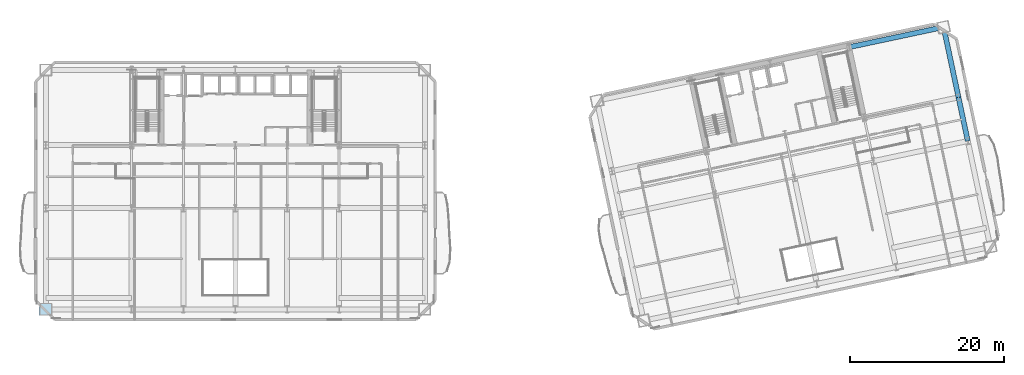
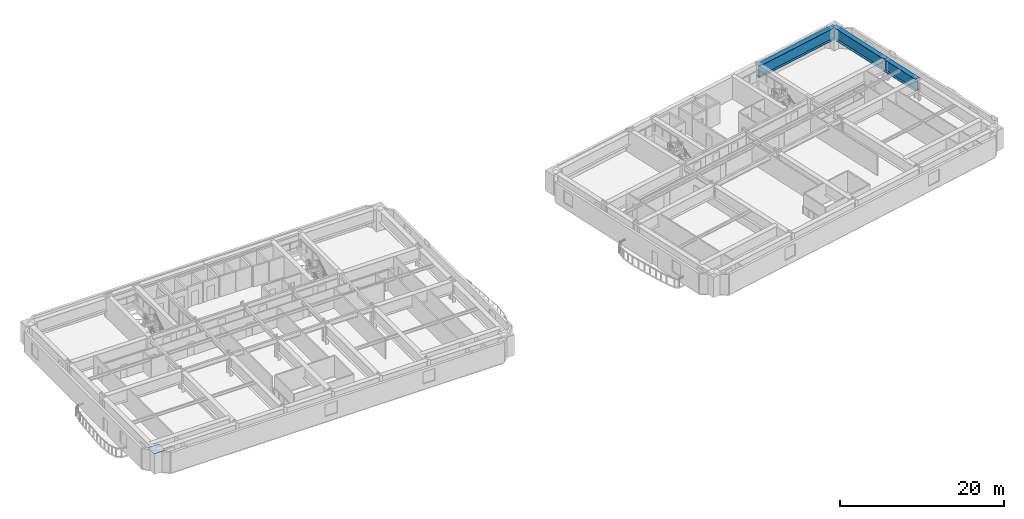
# One storey, part 4 of 18: 3 beams, 1 plate.
"""IFC4 building model written with IfcOpenShell, lengths in metres."""

from ifc_helpers import new_model, si_unit, direction, frame, origin, origin_2d, place, context, subcontext, project, spatial, rectangle, i_section, extrude, material, layer, layer_set, material_profile, profile_set, type_object, element, save


model = new_model("IFC4")

# Units and contexts
model_context = context("Model", 3, precision=1e-05, world=origin(), true_north=direction((0.0, 1.0)))
body_context = subcontext(model_context, "Body", "Model", "MODEL_VIEW")
ifc_project = project(units=[si_unit("LENGTHUNIT", "METRE"), si_unit("AREAUNIT", "SQUARE_METRE"), si_unit("VOLUMEUNIT", "CUBIC_METRE"), si_unit("PLANEANGLEUNIT", "RADIAN"), si_unit("MASSUNIT", "GRAM", prefix="KILO")], contexts=[model_context])

# Site, building, storey
site_placement = place(None, origin())
site = spatial("IfcSite", under=ifc_project, at=site_placement, CompositionType="ELEMENT")
building_placement = place(site_placement, origin())
building = spatial("IfcBuilding", under=site, at=building_placement, Name="Haevon Station Towers", CompositionType="ELEMENT")
storey_placement = place(building_placement, frame((0.0, 0.0, 66.89990234375)))
storey = spatial("IfcBuildingStorey", under=building, at=storey_placement, Name="L17", CompositionType="ELEMENT", Elevation=66.89990234375)

# Beams
ifc_material_1 = material(Name="Steel S460", Category="steel")
ifc_material_profile = material_profile(ifc_material_1, i_section(OverallWidth=0.64990234375, OverallDepth=1.800048828125, WebThickness=0.02490234375, FlangeThickness=0.0400390625, at=origin_2d()), Name="H-1800x650x25x40")
ifc_profile_set = profile_set([ifc_material_profile], Name="Steel S460")
beam_type = type_object("IfcBeamType", Name="BM-TG1800", PredefinedType="BEAM", material=ifc_profile_set)
beam_1_placement = place(storey_placement, frame((117.349365234375, 50.954345703125, 2.150146484375), z_axis=(0.978150643069, 0.207897377242, 0.0), x_axis=(-0.207897377242, 0.978150643069, 0.0)))
element("IfcBeam", 1, at=beam_1_placement, inside=storey, type_object=beam_type, Name="BM-T2U-L17-04-04", PredefinedType="BEAM", context=body_context, shape_type="SweptSolid", body=[
    extrude(i_section(OverallWidth=0.64990234375, OverallDepth=1.800048828125, WebThickness=0.02490234375, FlangeThickness=0.0400390625, at=origin_2d()), origin(), (0.0, 0.0, 1.0), 12.550048828125),
])
beam_2_placement = place(storey_placement, frame((132.775146484375, 38.74462890625, 2.150146484375), z_axis=(-0.207936282142, 0.978142373363, 0.0), x_axis=(-0.978142373363, -0.207936282142, 0.0)))
element("IfcBeam", 2, at=beam_2_placement, inside=storey, type_object=beam_type, Name="BM-T2V-L17-05-02", PredefinedType="BEAM", context=body_context, shape_type="SweptSolid", body=[
    extrude(i_section(OverallWidth=0.64990234375, OverallDepth=1.800048828125, WebThickness=0.02490234375, FlangeThickness=0.0400390625, at=origin_2d()), origin(), (0.0, 0.0, 1.0), 5.800048828125),
])
beam_3_placement = place(storey_placement, frame((131.569091796875, 44.41796875, 2.150146484375), z_axis=(-0.207902477038, 0.978149559138, 0.0), x_axis=(-0.978149559138, -0.207902477038, 0.0)))
element("IfcBeam", 3, at=beam_3_placement, inside=storey, type_object=beam_type, Name="BM-T2V-L17-05-03", PredefinedType="BEAM", context=body_context, shape_type="SweptSolid", body=[
    extrude(i_section(OverallWidth=0.64990234375, OverallDepth=1.800048828125, WebThickness=0.02490234375, FlangeThickness=0.0400390625, at=origin_2d()), origin(), (0.0, 0.0, 1.0), 9.349853515625),
])

# Plate
ifc_material_2 = material(Name="PL-FLG1", Category="steel")
ifc_layer = layer(ifc_material_2, 0.044921875)
ifc_layer_set = layer_set([ifc_layer], Name="PL-FLG1")
plate_type = type_object("IfcPlateType", Name="PL-FLG1", PredefinedType="USERDEFINED", material=ifc_layer_set)
plate_placement = place(storey_placement, frame((12.85009765625, 16.85009765625, 3.050048828125), z_axis=(0.0, 0.0, 1.0), x_axis=(1.0, 0.0, 0.0)))
element("IfcPlate", 4, at=plate_placement, inside=storey, type_object=plate_type, Name="PL-CAP-T1-L17-01-01", ObjectType="FLANGE_PLATE", PredefinedType="USERDEFINED", context=body_context, shape_type="SweptSolid", body=[
    extrude(rectangle(XDim=1.639892578125, YDim=1.5400390625, at=origin_2d()), origin(), (0.0, 0.0, 1.0), 0.0400390625),
])

save(model, "model.ifc")
